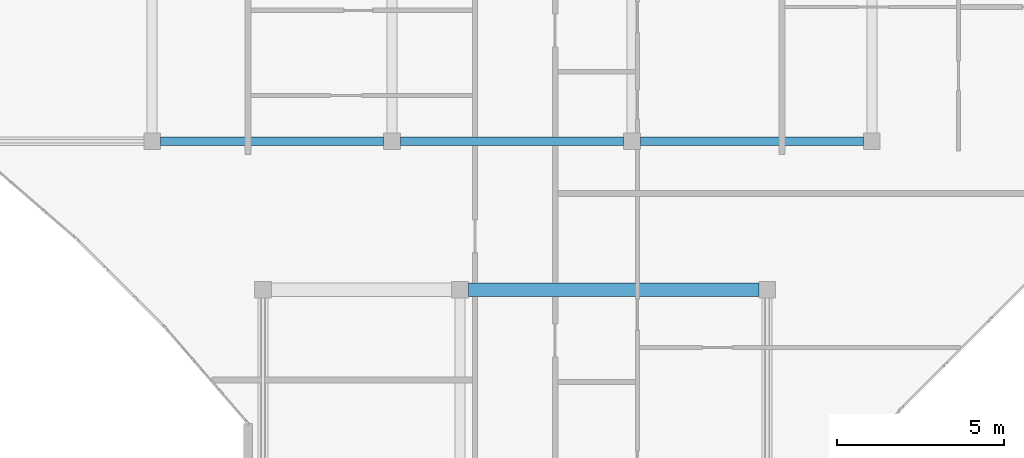
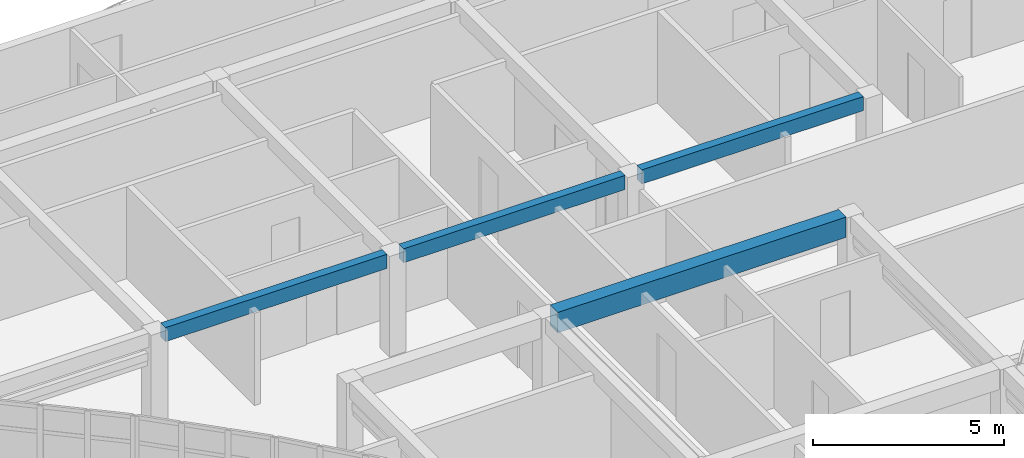
# One storey, part 8 of 39: 4 beams.
"""IFC4 building model written with IfcOpenShell, lengths in metres."""

from ifc_helpers import new_model, si_unit, direction, frame, origin, origin_2d, place, context, subcontext, project, spatial, rectangle, extrude, material, material_profile, profile_set, type_object, element, save


model = new_model("IFC4")

# Units and contexts
model_context = context("Model", 3, precision=1e-05, world=origin(), true_north=direction((0.0, 1.0)))
body_context = subcontext(model_context, "Body", "Model", "MODEL_VIEW")
ifc_project = project(units=[si_unit("LENGTHUNIT", "METRE"), si_unit("AREAUNIT", "SQUARE_METRE"), si_unit("VOLUMEUNIT", "CUBIC_METRE"), si_unit("PLANEANGLEUNIT", "RADIAN"), si_unit("MASSUNIT", "GRAM", prefix="KILO")], contexts=[model_context])

# Site, building, storey
site_placement = place(None, origin())
site = spatial("IfcSite", under=ifc_project, at=site_placement, CompositionType="ELEMENT")
building_placement = place(site_placement, origin())
building = spatial("IfcBuilding", under=site, at=building_placement, Name="Keldmere Railside Commons", CompositionType="ELEMENT")
storey_placement = place(building_placement, frame((0.0, 0.0, 32.9599609375)))
storey = spatial("IfcBuildingStorey", under=building, at=storey_placement, Name="L10", CompositionType="ELEMENT", Elevation=32.9599609375)

# Beams
ifc_material_1 = material(Name="Architectural Precast Concrete H-35 (C35/45)", Category="concrete")
ifc_material_profile_1 = material_profile(ifc_material_1, rectangle(XDim=0.25, YDim=0.449951171875, at=origin_2d()), Name="RC-250x450")
ifc_profile_set_1 = profile_set([ifc_material_profile_1], Name="Architectural Precast Concrete H-35 (C35/45)")
beam_type_1 = type_object("IfcBeamType", Name="Perimeter Precast Spandrel Beam 250x450", PredefinedType="SPANDREL", material=ifc_profile_set_1)
beam_1_placement = place(storey_placement, frame((101.383056640625, 100.449951171875, 2.97509765625), z_axis=(1.0, 0.0, 0.0), x_axis=(0.0, 1.0, 0.0)))
element("IfcBeam", 1, at=beam_1_placement, inside=storey, type_object=beam_type_1, Name="SPB-1 BM-L10-2384", PredefinedType="SPANDREL", context=body_context, shape_type="SweptSolid", body=[
    extrude(rectangle(XDim=0.25, YDim=0.449951171875, at=origin_2d()), origin(), (0.0, 0.0, 1.0), 6.683837890625),
])
for number, where, z_axis, x_axis, name in (
    (2, (108.56689453125, 100.449951171875, 2.97509765625), (1.0, 0.0, 0.0), (0.0, 1.0, 0.0), "SPB-1 BM-L10-2385"),
    (3, (115.75, 100.449951171875, 2.97509765625), (1.0, 0.0, 0.0), (0.0, 1.0, 0.0), "SPB-1 BM-L10-2386"),
):
    element("IfcBeam", number, at=place(storey_placement, frame(where, z_axis=z_axis, x_axis=x_axis)), inside=storey, type_object=beam_type_1, Name=name, PredefinedType="SPANDREL", context=body_context, shape_type="SweptSolid", body=[
        extrude(rectangle(XDim=0.25, YDim=0.449951171875, at=origin_2d()), origin(), (0.0, 0.0, 1.0), 6.68310546875),
    ])
ifc_material_2 = material(Name="Concrete H-30 (C30/37)", Category="concrete")
ifc_material_profile_2 = material_profile(ifc_material_2, rectangle(XDim=0.39990234375, YDim=0.64990234375, at=origin_2d()), Name="RC-400x650")
ifc_profile_set_2 = profile_set([ifc_material_profile_2], Name="Concrete H-30 (C30/37)")
beam_type_2 = type_object("IfcBeamType", Name="Residential Spine RC Girder 400x650", PredefinedType="BEAM", material=ifc_profile_set_2)
beam_2_placement = place(storey_placement, frame((110.60009765625, 96.0, 2.875), z_axis=(1.0, 0.0, 0.0), x_axis=(0.0, 1.0, 0.0)))
element("IfcBeam", 4, at=beam_2_placement, inside=storey, type_object=beam_type_2, Name="BG-3 BM-L10-2380", PredefinedType="BEAM", context=body_context, shape_type="SweptSolid", body=[
    extrude(rectangle(XDim=0.39990234375, YDim=0.64990234375, at=origin_2d()), origin(), (0.0, 0.0, 1.0), 8.699951171875),
])

save(model, "model.ifc")
